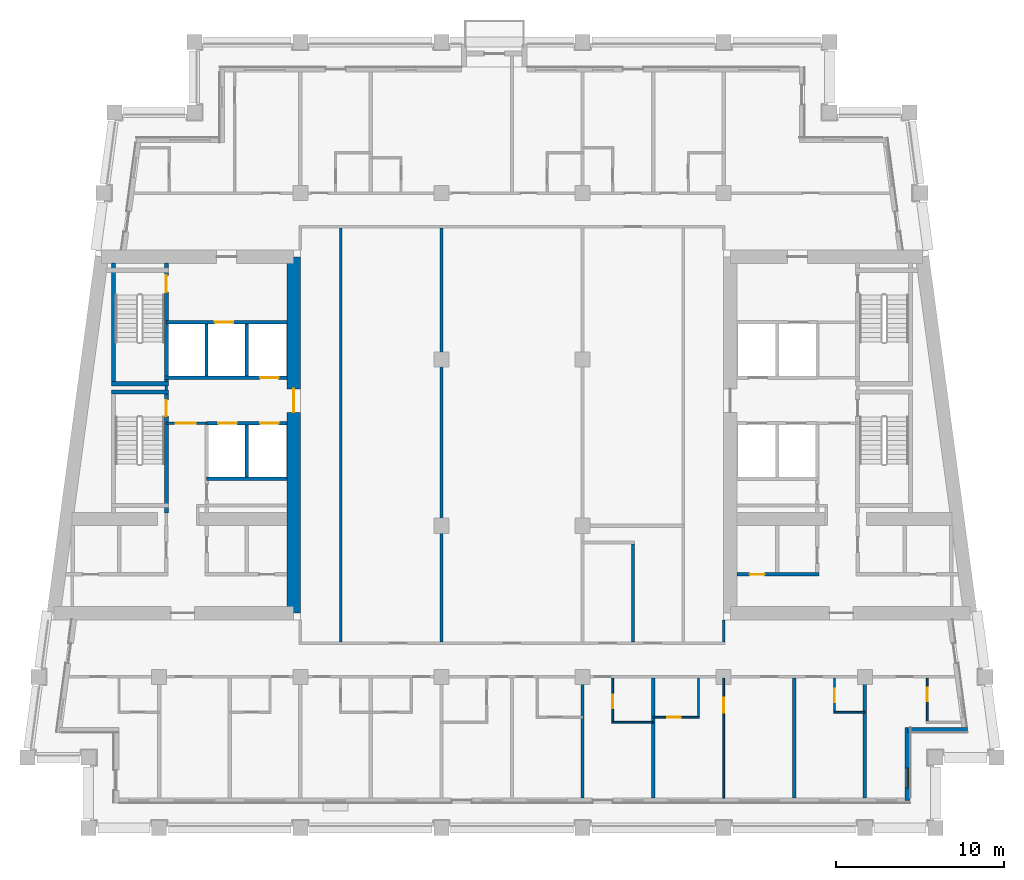
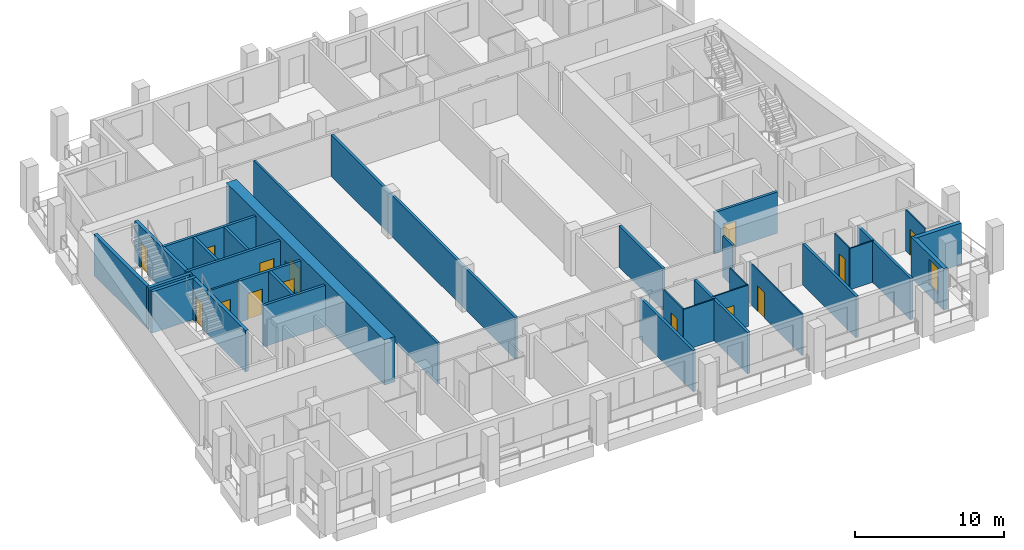
# One storey, part 4 of 13: 34 walls, 14 doors, 1 window, 15 openings.
"""IFC4 building model written with IfcOpenShell, lengths in metres."""

from ifc_helpers import new_model, si_unit, direction, frame, frame_2d, origin, place, context, subcontext, project, spatial, rectangle, extrude, material, layer, layer_set, type_object, element, fill, save


model = new_model("IFC4")

# Units and contexts
model_context = context("Model", 3, precision=1e-05, world=origin(), true_north=direction((0.0, 1.0)))
body_context = subcontext(model_context, "Body", "Model", "MODEL_VIEW")
ifc_project = project(units=[si_unit("LENGTHUNIT", "METRE"), si_unit("AREAUNIT", "SQUARE_METRE"), si_unit("VOLUMEUNIT", "CUBIC_METRE"), si_unit("PLANEANGLEUNIT", "RADIAN"), si_unit("MASSUNIT", "GRAM", prefix="KILO")], contexts=[model_context])

# Site, building, storey
site_placement = place(None, origin())
site = spatial("IfcSite", under=ifc_project, at=site_placement, CompositionType="ELEMENT")
building_placement = place(site_placement, origin())
building = spatial("IfcBuilding", under=site, at=building_placement, Name="Candeia Pilgrim Tower and Theatre", CompositionType="ELEMENT")
storey_placement = place(building_placement, frame((0.0, 0.0, 202.199951171875)))
storey = spatial("IfcBuildingStorey", under=building, at=storey_placement, Name="L48", CompositionType="ELEMENT", Elevation=202.199951171875)

# Wall, opening, door
ifc_material_1 = material(Name="Concrete C50/60", Category="concrete")
ifc_layer_1 = layer(ifc_material_1, 0.800048828125)
ifc_layer_set_1 = layer_set([ifc_layer_1], Name="Core wall 800 C50/60")
wall_type_1 = type_object("IfcWallType", Name="Core wall 800 C50/60", PredefinedType="SHEAR", material=ifc_layer_set_1)
wall_1_placement = place(storey_placement, frame((100.39990234375, 132.0, 0.0), z_axis=(0.0, 0.0, 1.0), x_axis=(0.0, -1.0, 0.0)))
wall_1 = element("IfcWall", 1, at=wall_1_placement, inside=storey, type_object=wall_type_1, Name="Core wall W2", PredefinedType="SHEAR", context=body_context, shape_type="SweptSolid", body=[
    extrude(rectangle(XDim=21.199951171875, YDim=0.800048828125, at=frame_2d((10.60009765625, 0.0))), origin(), (0.0, 0.0, 1.0), 3.699951171875),
])
opening_1_placement = place(wall_1_placement, frame((7.85009765625, 0.0, 0.0)))
opening_1 = element("IfcOpeningElement", 2, at=opening_1_placement, cuts=wall_1, Name="Opening L48-D060", PredefinedType="OPENING", context=body_context, shape_type="SweptSolid", body=[
    extrude(rectangle(XDim=1.39990234375, YDim=2.10009765625, at=frame_2d((0.699951171875, 1.050048828125))), frame((0.0, 0.41015625, 0.0), z_axis=(0.0, -1.0, 0.0), x_axis=(1.0, 0.0, 0.0)), (0.0, 0.0, 1.0), 0.820068359375),
])
ifc_material_2 = material(Name="Steel fire door set", Category="steel")
door_type_1 = type_object("IfcDoorType", Name="D-1400-FD60", OperationType="NOTDEFINED", PredefinedType="DOOR", material=ifc_material_2)
door_1_placement = place(opening_1_placement, origin())
door_1 = element("IfcDoor", 3, at=door_1_placement, inside=storey, type_object=door_type_1, Name="Door L48-D060", OperationType="SINGLE_SWING_RIGHT", OverallHeight=2.10009765625, OverallWidth=1.39990234375, PredefinedType="DOOR", context=body_context, shape_type="SweptSolid", body=[
    extrude(rectangle(XDim=1.39990234375, YDim=2.10009765625, at=frame_2d((0.699951171875, 1.050048828125))), frame((0.0, 0.02490234375, 0.0), z_axis=(0.0, -1.0, 0.0), x_axis=(1.0, 0.0, 0.0)), (0.0, 0.0, 1.0), 0.050048828125),
])
fill(opening_1, door_1)

# Wall, opening, window
ifc_material_3 = material(Name="Ceramic block masonry", Category="masonry")
ifc_layer_2 = layer(ifc_material_3, 0.300048828125)
ifc_layer_set_2 = layer_set([ifc_layer_2], Name="EW1 glazing-line wall 300")
wall_type_2 = type_object("IfcWallType", Name="EW1 glazing-line wall 300", PredefinedType="SOLIDWALL", material=ifc_layer_set_2)
wall_2_placement = place(storey_placement, frame((136.949951171875, 99.64990234375, 0.0), z_axis=(0.0, 0.0, 1.0), x_axis=(0.0, 1.0, 0.0)))
wall_2 = element("IfcWall", 4, at=wall_2_placement, inside=storey, type_object=wall_type_2, Name="External wall L48-1.0", PredefinedType="SOLIDWALL", context=body_context, shape_type="SweptSolid", body=[
    extrude(rectangle(XDim=4.35009765625, YDim=0.300048828125, at=frame_2d((2.175048828125, 0.0))), origin(), (0.0, 0.0, 1.0), 3.380126953125),
])
opening_2_placement = place(wall_2_placement, frame((0.72509765625, 0.0, 0.89990234375)))
opening_2 = element("IfcOpeningElement", 5, at=opening_2_placement, cuts=wall_2, Name="Opening W-B", PredefinedType="OPENING", context=body_context, shape_type="SweptSolid", body=[
    extrude(rectangle(XDim=1.199951171875, YDim=2.10009765625, at=frame_2d((0.60009765625, 1.050048828125))), frame((0.0, 0.16015625, 0.0), z_axis=(0.0, -1.0, 0.0), x_axis=(1.0, 0.0, 0.0)), (0.0, 0.0, 1.0), 0.320068359375),
])
ifc_material_4 = material(Name="Aluminium framed double glazing", Category="aluminium")
window_type = type_object("IfcWindowType", Name="W-B window 1200x2100", PartitioningType="SINGLE_PANEL", PredefinedType="WINDOW", material=ifc_material_4)
window_placement = place(opening_2_placement, origin())
window = element("IfcWindow", 6, at=window_placement, inside=storey, type_object=window_type, Name="Window W-B L48", OverallHeight=2.10009765625, OverallWidth=1.199951171875, PartitioningType="SINGLE_PANEL", PredefinedType="WINDOW", context=body_context, shape_type="SweptSolid", body=[
    extrude(rectangle(XDim=1.199951171875, YDim=2.10009765625, at=frame_2d((0.60009765625, 1.050048828125))), frame((0.0, 0.030029296875, 0.0), z_axis=(0.0, -1.0, 0.0), x_axis=(1.0, 0.0, 0.0)), (0.0, 0.0, 1.0), 0.06005859375),
])
fill(opening_2, window)

# Walls
wall_3_placement = place(storey_placement, frame((136.949951171875, 103.85009765625, 0.0), z_axis=(0.0, 0.0, 1.0), x_axis=(1.0, 0.0, 0.0)))
element("IfcWall", 7, at=wall_3_placement, inside=storey, type_object=wall_type_2, Name="External wall L48-2.0", PredefinedType="SOLIDWALL", context=body_context, shape_type="SweptSolid", body=[
    extrude(rectangle(XDim=3.569091796875, YDim=0.300048828125, at=frame_2d((1.78466796875, 0.0))), origin(), (0.0, 0.0, 1.0), 3.380126953125),
])
ifc_material_5 = material(Name="Gypsum board partition on steel studs", Category="steel")
ifc_layer_3 = layer(ifc_material_5, 0.10009765625)
ifc_layer_set_3 = layer_set([ifc_layer_3], Name="PW-100 room partition")
wall_type_3 = type_object("IfcWallType", Name="PW-100 room partition", PredefinedType="PARTITIONING", material=ifc_layer_set_3)
wall_4_placement = place(storey_placement, frame((119.35009765625, 104.300048828125, 0.0), z_axis=(0.0, 0.0, 1.0), x_axis=(1.0, 0.0, 0.0)))
element("IfcWall", 8, at=wall_4_placement, inside=storey, type_object=wall_type_3, Name="Room partition L48-002", PredefinedType="PARTITIONING", context=body_context, shape_type="SweptSolid", body=[
    extrude(rectangle(XDim=2.449951171875, YDim=0.10009765625, at=frame_2d((1.22509765625, 0.0))), origin(), (0.0, 0.0, 1.0), 3.380126953125),
])

# Wall, opening, door
wall_5_placement = place(storey_placement, frame((121.800048828125, 104.60009765625, 0.0), z_axis=(0.0, 0.0, 1.0), x_axis=(1.0, 0.0, 0.0)))
wall_5 = element("IfcWall", 9, at=wall_5_placement, inside=storey, type_object=wall_type_3, Name="Room partition L48-005", PredefinedType="PARTITIONING", context=body_context, shape_type="SweptSolid", body=[
    extrude(rectangle(XDim=2.75, YDim=0.10009765625, at=frame_2d((1.375, 0.0))), origin(), (0.0, 0.0, 1.0), 3.380126953125),
])
opening_3_placement = place(wall_5_placement, frame((0.830078125, 0.0, 0.0)))
opening_3 = element("IfcOpeningElement", 10, at=opening_3_placement, cuts=wall_5, Name="Opening L48-D034", PredefinedType="OPENING", context=body_context, shape_type="SweptSolid", body=[
    extrude(rectangle(XDim=0.800048828125, YDim=2.10009765625, at=frame_2d((0.39990234375, 1.050048828125))), frame((0.0, 0.06005859375, 0.0), z_axis=(0.0, -1.0, 0.0), x_axis=(1.0, 0.0, 0.0)), (0.0, 0.0, 1.0), 0.1201171875),
])
ifc_material_6 = material(Name="Timber door leaf", Category="wood")
door_type_2 = type_object("IfcDoorType", Name="D-800", OperationType="NOTDEFINED", PredefinedType="DOOR", material=ifc_material_6)
door_2_placement = place(opening_3_placement, origin())
door_2 = element("IfcDoor", 11, at=door_2_placement, inside=storey, type_object=door_type_2, Name="Door L48-D034", OperationType="SINGLE_SWING_RIGHT", OverallHeight=2.10009765625, OverallWidth=0.800048828125, PredefinedType="DOOR", context=body_context, shape_type="SweptSolid", body=[
    extrude(rectangle(XDim=0.800048828125, YDim=2.10009765625, at=frame_2d((0.39990234375, 1.050048828125))), frame((0.0, 0.02490234375, 0.0), z_axis=(0.0, -1.0, 0.0), x_axis=(1.0, 0.0, 0.0)), (0.0, 0.0, 1.0), 0.050048828125),
])
fill(opening_3, door_2)

# Wall
wall_6_placement = place(storey_placement, frame((132.550048828125, 104.89990234375, 0.0), z_axis=(0.0, 0.0, 1.0), x_axis=(1.0, 0.0, 0.0)))
element("IfcWall", 12, at=wall_6_placement, inside=storey, type_object=wall_type_3, Name="Room partition L48-009", PredefinedType="PARTITIONING", context=body_context, shape_type="SweptSolid", body=[
    extrude(rectangle(XDim=1.849853515625, YDim=0.10009765625, at=frame_2d((0.9248046875, 0.0))), origin(), (0.0, 0.0, 1.0), 3.380126953125),
])

# Wall, opening, door
wall_7_placement = place(storey_placement, frame((119.39990234375, 104.35009765625, 0.0), z_axis=(0.0, 0.0, 1.0), x_axis=(0.0, 1.0, 0.0)))
wall_7 = element("IfcWall", 13, at=wall_7_placement, inside=storey, type_object=wall_type_3, Name="Room partition L48-094", PredefinedType="PARTITIONING", context=body_context, shape_type="SweptSolid", body=[
    extrude(rectangle(XDim=2.574951171875, YDim=0.10009765625, at=frame_2d((1.28759765625, 0.0))), origin(), (0.0, 0.0, 1.0), 3.380126953125),
])
opening_4_placement = place(wall_7_placement, frame((0.780029296875, 0.0, 0.0)))
opening_4 = element("IfcOpeningElement", 14, at=opening_4_placement, cuts=wall_7, Name="Opening L48-D031", PredefinedType="OPENING", context=body_context, shape_type="SweptSolid", body=[
    extrude(rectangle(XDim=0.800048828125, YDim=2.10009765625, at=frame_2d((0.39990234375, 1.050048828125))), frame((0.0, 0.06005859375, 0.0), z_axis=(0.0, -1.0, 0.0), x_axis=(1.0, 0.0, 0.0)), (0.0, 0.0, 1.0), 0.1201171875),
])
door_3_placement = place(opening_4_placement, origin())
door_3 = element("IfcDoor", 15, at=door_3_placement, inside=storey, type_object=door_type_2, Name="Door L48-D031", OperationType="SINGLE_SWING_LEFT", OverallHeight=2.10009765625, OverallWidth=0.800048828125, PredefinedType="DOOR", context=body_context, shape_type="SweptSolid", body=[
    extrude(rectangle(XDim=0.800048828125, YDim=2.10009765625, at=frame_2d((0.39990234375, 1.050048828125))), frame((0.0, 0.02490234375, 0.0), z_axis=(0.0, -1.0, 0.0), x_axis=(1.0, 0.0, 0.0)), (0.0, 0.0, 1.0), 0.050048828125),
])
fill(opening_4, door_3)

# Wall
wall_8_placement = place(storey_placement, frame((124.5, 104.64990234375, 0.0), z_axis=(0.0, 0.0, 1.0), x_axis=(0.0, 1.0, 0.0)))
element("IfcWall", 16, at=wall_8_placement, inside=storey, type_object=wall_type_3, Name="Room partition L48-101", PredefinedType="PARTITIONING", context=body_context, shape_type="SweptSolid", body=[
    extrude(rectangle(XDim=2.275146484375, YDim=0.10009765625, at=frame_2d((1.1376953125, 0.0))), origin(), (0.0, 0.0, 1.0), 3.380126953125),
])

# Wall, opening, door
wall_9_placement = place(storey_placement, frame((126.0, 99.7900390625, 0.0), z_axis=(0.0, 0.0, 1.0), x_axis=(0.0, 1.0, 0.0)))
wall_9 = element("IfcWall", 17, at=wall_9_placement, inside=storey, type_object=wall_type_3, Name="Room partition L48-102", PredefinedType="PARTITIONING", context=body_context, shape_type="SweptSolid", body=[
    extrude(rectangle(XDim=7.135009765625, YDim=0.10009765625, at=frame_2d((3.5673828125, 0.0))), origin(), (0.0, 0.0, 1.0), 3.380126953125),
])
opening_5_placement = place(wall_9_placement, frame((5.074951171875, 0.0, 0.0)))
opening_5 = element("IfcOpeningElement", 18, at=opening_5_placement, cuts=wall_9, Name="Opening L48-D033", PredefinedType="OPENING", context=body_context, shape_type="SweptSolid", body=[
    extrude(rectangle(XDim=0.89990234375, YDim=2.10009765625, at=frame_2d((0.449951171875, 1.050048828125))), frame((0.0, 0.06005859375, 0.0), z_axis=(0.0, -1.0, 0.0), x_axis=(1.0, 0.0, 0.0)), (0.0, 0.0, 1.0), 0.1201171875),
])
door_type_3 = type_object("IfcDoorType", Name="D-900", OperationType="NOTDEFINED", PredefinedType="DOOR", material=ifc_material_6)
door_4_placement = place(opening_5_placement, origin())
door_4 = element("IfcDoor", 19, at=door_4_placement, inside=storey, type_object=door_type_3, Name="Door L48-D033", OperationType="SINGLE_SWING_LEFT", OverallHeight=2.10009765625, OverallWidth=0.89990234375, PredefinedType="DOOR", context=body_context, shape_type="SweptSolid", body=[
    extrude(rectangle(XDim=0.89990234375, YDim=2.10009765625, at=frame_2d((0.449951171875, 1.050048828125))), frame((0.0, 0.02490234375, 0.0), z_axis=(0.0, -1.0, 0.0), x_axis=(1.0, 0.0, 0.0)), (0.0, 0.0, 1.0), 0.050048828125),
])
fill(opening_5, door_4)

wall_10_placement = place(storey_placement, frame((132.60009765625, 104.949951171875, 0.0), z_axis=(0.0, 0.0, 1.0), x_axis=(0.0, 1.0, 0.0)))
wall_10 = element("IfcWall", 20, at=wall_10_placement, inside=storey, type_object=wall_type_3, Name="Room partition L48-114", PredefinedType="PARTITIONING", context=body_context, shape_type="SweptSolid", body=[
    extrude(rectangle(XDim=1.97509765625, YDim=0.10009765625, at=frame_2d((0.987548828125, 0.0))), origin(), (0.0, 0.0, 1.0), 3.380126953125),
])
opening_6_placement = place(wall_10_placement, frame((0.5400390625, 0.0, 0.0)))
opening_6 = element("IfcOpeningElement", 21, at=opening_6_placement, cuts=wall_10, Name="Opening L48-D036", PredefinedType="OPENING", context=body_context, shape_type="SweptSolid", body=[
    extrude(rectangle(XDim=0.800048828125, YDim=2.10009765625, at=frame_2d((0.39990234375, 1.050048828125))), frame((0.0, 0.06005859375, 0.0), z_axis=(0.0, -1.0, 0.0), x_axis=(1.0, 0.0, 0.0)), (0.0, 0.0, 1.0), 0.1201171875),
])
door_5_placement = place(opening_6_placement, origin())
door_5 = element("IfcDoor", 22, at=door_5_placement, inside=storey, type_object=door_type_2, Name="Door L48-D036", OperationType="SINGLE_SWING_RIGHT", OverallHeight=2.10009765625, OverallWidth=0.800048828125, PredefinedType="DOOR", context=body_context, shape_type="SweptSolid", body=[
    extrude(rectangle(XDim=0.800048828125, YDim=2.10009765625, at=frame_2d((0.39990234375, 1.050048828125))), frame((0.0, 0.02490234375, 0.0), z_axis=(0.0, -1.0, 0.0), x_axis=(1.0, 0.0, 0.0)), (0.0, 0.0, 1.0), 0.050048828125),
])
fill(opening_6, door_5)

wall_11_placement = place(storey_placement, frame((138.1201171875, 104.35009765625, 0.0), z_axis=(0.0, 0.0, 1.0), x_axis=(0.0, 1.0, 0.0)))
wall_11 = element("IfcWall", 23, at=wall_11_placement, inside=storey, type_object=wall_type_3, Name="Room partition L48-124", PredefinedType="PARTITIONING", context=body_context, shape_type="SweptSolid", body=[
    extrude(rectangle(XDim=2.574951171875, YDim=0.10009765625, at=frame_2d((1.28759765625, 0.0))), origin(), (0.0, 0.0, 1.0), 3.380126953125),
])
opening_7_placement = place(wall_11_placement, frame((1.199951171875, 0.0, 0.0)))
opening_7 = element("IfcOpeningElement", 24, at=opening_7_placement, cuts=wall_11, Name="Opening L48-D038", PredefinedType="OPENING", context=body_context, shape_type="SweptSolid", body=[
    extrude(rectangle(XDim=0.800048828125, YDim=2.10009765625, at=frame_2d((0.39990234375, 1.050048828125))), frame((0.0, 0.06005859375, 0.0), z_axis=(0.0, -1.0, 0.0), x_axis=(1.0, 0.0, 0.0)), (0.0, 0.0, 1.0), 0.1201171875),
])
door_6_placement = place(opening_7_placement, origin())
door_6 = element("IfcDoor", 25, at=door_6_placement, inside=storey, type_object=door_type_2, Name="Door L48-D038", OperationType="SINGLE_SWING_RIGHT", OverallHeight=2.10009765625, OverallWidth=0.800048828125, PredefinedType="DOOR", context=body_context, shape_type="SweptSolid", body=[
    extrude(rectangle(XDim=0.800048828125, YDim=2.10009765625, at=frame_2d((0.39990234375, 1.050048828125))), frame((0.0, 0.02490234375, 0.0), z_axis=(0.0, -1.0, 0.0), x_axis=(1.0, 0.0, 0.0)), (0.0, 0.0, 1.0), 0.050048828125),
])
fill(opening_7, door_6)

ifc_layer_4 = layer(ifc_material_5, 0.14990234375)
ifc_layer_set_4 = layer_set([ifc_layer_4], Name="PW-150 lobby wall")
wall_type_4 = type_object("IfcWallType", Name="PW-150 lobby wall", PredefinedType="PARTITIONING", material=ifc_layer_set_4)
wall_12_placement = place(storey_placement, frame((92.826904296875, 122.10009765625, 0.0), z_axis=(0.0, 0.0, 1.0), x_axis=(1.0, 0.0, 0.0)))
wall_12 = element("IfcWall", 26, at=wall_12_placement, inside=storey, type_object=wall_type_4, Name="Lobby wall L48-028", PredefinedType="PARTITIONING", context=body_context, shape_type="SweptSolid", body=[
    extrude(rectangle(XDim=2.400146484375, YDim=0.14990234375, at=frame_2d((1.2001953125, 0.0))), origin(), (0.0, 0.0, 1.0), 3.380126953125),
])
opening_8_placement = place(wall_12_placement, frame((0.550048828125, 0.0, 0.0)))
opening_8 = element("IfcOpeningElement", 27, at=opening_8_placement, cuts=wall_12, Name="Opening L48-D001", PredefinedType="OPENING", context=body_context, shape_type="SweptSolid", body=[
    extrude(rectangle(XDim=1.199951171875, YDim=2.10009765625, at=frame_2d((0.60009765625, 1.050048828125))), frame((0.0, 0.0849609375, 0.0), z_axis=(0.0, -1.0, 0.0), x_axis=(1.0, 0.0, 0.0)), (0.0, 0.0, 1.0), 0.169921875),
])
door_type_4 = type_object("IfcDoorType", Name="D-1200-FD60", OperationType="NOTDEFINED", PredefinedType="DOOR", material=ifc_material_2)
door_7_placement = place(opening_8_placement, origin())
door_7 = element("IfcDoor", 28, at=door_7_placement, inside=storey, type_object=door_type_4, Name="Door L48-D001", OperationType="SINGLE_SWING_LEFT", OverallHeight=2.10009765625, OverallWidth=1.199951171875, PredefinedType="DOOR", context=body_context, shape_type="SweptSolid", body=[
    extrude(rectangle(XDim=1.199951171875, YDim=2.10009765625, at=frame_2d((0.60009765625, 1.050048828125))), frame((0.0, 0.02490234375, 0.0), z_axis=(0.0, -1.0, 0.0), x_axis=(1.0, 0.0, 0.0)), (0.0, 0.0, 1.0), 0.050048828125),
])
fill(opening_8, door_7)

# Walls
wall_13_placement = place(storey_placement, frame((92.826904296875, 124.074951171875, 0.0), z_axis=(0.0, 0.0, 1.0), x_axis=(0.0, 1.0, 0.0)))
element("IfcWall", 29, at=wall_13_placement, inside=storey, type_object=wall_type_4, Name="Lobby wall L48-059", PredefinedType="PARTITIONING", context=body_context, shape_type="SweptSolid", body=[
    extrude(rectangle(XDim=0.25, YDim=0.14990234375, at=frame_2d((0.125, 0.0))), origin(), (0.0, 0.0, 1.0), 3.380126953125),
])
ifc_layer_5 = layer(ifc_material_5, 0.14990234375)
ifc_layer_set_5 = layer_set([ifc_layer_5], Name="PW-150 unit wall")
wall_type_5 = type_object("IfcWallType", Name="PW-150 unit wall", PredefinedType="PARTITIONING", material=ifc_layer_set_5)
wall_14_placement = place(storey_placement, frame((103.199951171875, 109.074951171875, 0.0), z_axis=(0.0, 0.0, 1.0), x_axis=(0.0, 1.0, 0.0)))
element("IfcWall", 30, at=wall_14_placement, inside=storey, type_object=wall_type_5, Name="Unit wall L48-079", PredefinedType="PARTITIONING", context=body_context, shape_type="SweptSolid", body=[
    extrude(rectangle(XDim=24.650146484375, YDim=0.14990234375, at=frame_2d((12.3251953125, 0.0))), origin(), (0.0, 0.0, 1.0), 3.380126953125),
])
wall_15_placement = place(storey_placement, frame((126.0, 109.074951171875, 0.0), z_axis=(0.0, 0.0, 1.0), x_axis=(0.0, 1.0, 0.0)))
element("IfcWall", 31, at=wall_15_placement, inside=storey, type_object=wall_type_5, Name="Unit wall L48-104", PredefinedType="PARTITIONING", context=body_context, shape_type="SweptSolid", body=[
    extrude(rectangle(XDim=1.324951171875, YDim=0.14990234375, at=frame_2d((0.66259765625, 0.0))), origin(), (0.0, 0.0, 1.0), 3.380126953125),
])
ifc_layer_6 = layer(ifc_material_5, 0.199951171875)
ifc_layer_set_6 = layer_set([ifc_layer_6], Name="PW-200 party wall")
wall_type_6 = type_object("IfcWallType", Name="PW-200 party wall", PredefinedType="PARTITIONING", material=ifc_layer_set_6)
wall_16_placement = place(storey_placement, frame((109.199951171875, 109.074951171875, 0.0), z_axis=(0.0, 0.0, 1.0), x_axis=(0.0, 1.0, 0.0)))
element("IfcWall", 32, at=wall_16_placement, inside=storey, type_object=wall_type_6, Name="Party wall L48-085", PredefinedType="PARTITIONING", context=body_context, shape_type="SweptSolid", body=[
    extrude(rectangle(XDim=24.650146484375, YDim=0.199951171875, at=frame_2d((12.3251953125, 0.0))), origin(), (0.0, 0.0, 1.0), 3.380126953125),
])
wall_17_placement = place(storey_placement, frame((117.60009765625, 99.7900390625, 0.0), z_axis=(0.0, 0.0, 1.0), x_axis=(0.0, 1.0, 0.0)))
element("IfcWall", 33, at=wall_17_placement, inside=storey, type_object=wall_type_6, Name="Party wall L48-091", PredefinedType="PARTITIONING", context=body_context, shape_type="SweptSolid", body=[
    extrude(rectangle(XDim=7.135009765625, YDim=0.199951171875, at=frame_2d((3.5673828125, 0.0))), origin(), (0.0, 0.0, 1.0), 3.380126953125),
])
wall_18_placement = place(storey_placement, frame((120.60009765625, 109.074951171875, 0.0), z_axis=(0.0, 0.0, 1.0), x_axis=(0.0, 1.0, 0.0)))
element("IfcWall", 34, at=wall_18_placement, inside=storey, type_object=wall_type_6, Name="Party wall L48-096", PredefinedType="PARTITIONING", context=body_context, shape_type="SweptSolid", body=[
    extrude(rectangle(XDim=5.824951171875, YDim=0.199951171875, at=frame_2d((2.91259765625, 0.0))), origin(), (0.0, 0.0, 1.0), 3.380126953125),
])
for number, where, z_axis, x_axis, name in (
    (35, (121.800048828125, 99.7900390625, 0.0), (0.0, 0.0, 1.0), (0.0, 1.0, 0.0), "Party wall L48-097"),
    (36, (130.199951171875, 99.7900390625, 0.0), (0.0, 0.0, 1.0), (0.0, 1.0, 0.0), "Party wall L48-109"),
    (37, (134.39990234375, 99.7900390625, 0.0), (0.0, 0.0, 1.0), (0.0, 1.0, 0.0), "Party wall L48-120"),
):
    element("IfcWall", number, at=place(storey_placement, frame(where, z_axis=z_axis, x_axis=x_axis)), inside=storey, type_object=wall_type_6, Name=name, PredefinedType="PARTITIONING", context=body_context, shape_type="SweptSolid", body=[
        extrude(rectangle(XDim=7.135009765625, YDim=0.199951171875, at=frame_2d((3.5673828125, 0.0))), origin(), (0.0, 0.0, 1.0), 3.380126953125),
    ])

# Wall, opening, door
ifc_material_7 = material(Name="Concrete C40/50", Category="concrete")
ifc_layer_7 = layer(ifc_material_7, 0.199951171875)
ifc_layer_set_7 = layer_set([ifc_layer_7], Name="SW-200 shaft wall")
wall_type_7 = type_object("IfcWallType", Name="SW-200 shaft wall", PredefinedType="PARTITIONING", material=ifc_layer_set_7)
wall_19_placement = place(storey_placement, frame((126.800048828125, 113.10009765625, 0.0), z_axis=(0.0, 0.0, 1.0), x_axis=(1.0, 0.0, 0.0)))
wall_19 = element("IfcWall", 38, at=wall_19_placement, inside=storey, type_object=wall_type_7, Name="Shaft wall L48-014", PredefinedType="PARTITIONING", context=body_context, shape_type="SweptSolid", body=[
    extrude(rectangle(XDim=4.873046875, YDim=0.199951171875, at=frame_2d((2.4365234375, 0.0))), origin(), (0.0, 0.0, 1.0), 3.380126953125),
])
opening_9_placement = place(wall_19_placement, frame((0.742919921875, 0.0, 0.0)))
opening_9 = element("IfcOpeningElement", 39, at=opening_9_placement, cuts=wall_19, Name="Opening L48-D016", PredefinedType="OPENING", context=body_context, shape_type="SweptSolid", body=[
    extrude(rectangle(XDim=0.89990234375, YDim=2.10009765625, at=frame_2d((0.449951171875, 1.050048828125))), frame((0.0, 0.10986328125, 0.0), z_axis=(0.0, -1.0, 0.0), x_axis=(1.0, 0.0, 0.0)), (0.0, 0.0, 1.0), 0.219970703125),
])
door_type_5 = type_object("IfcDoorType", Name="D-900-FD60", OperationType="NOTDEFINED", PredefinedType="DOOR", material=ifc_material_2)
door_8_placement = place(opening_9_placement, origin())
door_8 = element("IfcDoor", 40, at=door_8_placement, inside=storey, type_object=door_type_5, Name="Door L48-D016", OperationType="SINGLE_SWING_RIGHT", OverallHeight=2.10009765625, OverallWidth=0.89990234375, PredefinedType="DOOR", context=body_context, shape_type="SweptSolid", body=[
    extrude(rectangle(XDim=0.89990234375, YDim=2.10009765625, at=frame_2d((0.449951171875, 1.050048828125))), frame((0.0, 0.02490234375, 0.0), z_axis=(0.0, -1.0, 0.0), x_axis=(1.0, 0.0, 0.0)), (0.0, 0.0, 1.0), 0.050048828125),
])
fill(opening_9, door_8)

# Wall
wall_20_placement = place(storey_placement, frame((95.22705078125, 118.800048828125, 0.0), z_axis=(0.0, 0.0, 1.0), x_axis=(1.0, 0.0, 0.0)))
element("IfcWall", 41, at=wall_20_placement, inside=storey, type_object=wall_type_7, Name="Shaft wall L48-024", PredefinedType="PARTITIONING", context=body_context, shape_type="SweptSolid", body=[
    extrude(rectangle(XDim=4.77294921875, YDim=0.199951171875, at=frame_2d((2.386474609375, 0.0))), origin(), (0.0, 0.0, 1.0), 3.380126953125),
])

# Wall, openings, doors
wall_21_placement = place(storey_placement, frame((95.22705078125, 122.10009765625, 0.0), z_axis=(0.0, 0.0, 1.0), x_axis=(1.0, 0.0, 0.0)))
wall_21 = element("IfcWall", 42, at=wall_21_placement, inside=storey, type_object=wall_type_7, Name="Shaft wall L48-026", PredefinedType="PARTITIONING", context=body_context, shape_type="SweptSolid", body=[
    extrude(rectangle(XDim=4.77294921875, YDim=0.199951171875, at=frame_2d((2.386474609375, 0.0))), origin(), (0.0, 0.0, 1.0), 3.380126953125),
])
opening_10_placement = place(wall_21_placement, frame((0.701904296875, 0.0, 0.0)))
opening_10 = element("IfcOpeningElement", 43, at=opening_10_placement, cuts=wall_21, Name="Opening L48-LD01", PredefinedType="OPENING", context=body_context, shape_type="SweptSolid", body=[
    extrude(rectangle(XDim=1.10009765625, YDim=2.10009765625, at=frame_2d((0.550048828125, 1.050048828125))), frame((0.0, 0.10986328125, 0.0), z_axis=(0.0, -1.0, 0.0), x_axis=(1.0, 0.0, 0.0)), (0.0, 0.0, 1.0), 0.219970703125),
])
opening_11_placement = place(wall_21_placement, frame((3.176025390625, 0.0, 0.0)))
opening_11 = element("IfcOpeningElement", 44, at=opening_11_placement, cuts=wall_21, Name="Opening L48-LD02", PredefinedType="OPENING", context=body_context, shape_type="SweptSolid", body=[
    extrude(rectangle(XDim=1.10009765625, YDim=2.10009765625, at=frame_2d((0.550048828125, 1.050048828125))), frame((0.0, 0.10986328125, 0.0), z_axis=(0.0, -1.0, 0.0), x_axis=(1.0, 0.0, 0.0)), (0.0, 0.0, 1.0), 0.219970703125),
])
ifc_material_8 = material(Name="Glazed aluminium landing door", Category="aluminium")
door_type_6 = type_object("IfcDoorType", Name="LD-1100-EI120", OperationType="SLIDING_TO_LEFT", PredefinedType="DOOR", material=ifc_material_8)
door_9_placement = place(opening_10_placement, origin())
door_9 = element("IfcDoor", 45, at=door_9_placement, inside=storey, type_object=door_type_6, Name="Landing door 01 L48", OperationType="SLIDING_TO_LEFT", OverallHeight=2.10009765625, OverallWidth=1.10009765625, PredefinedType="DOOR", context=body_context, shape_type="SweptSolid", body=[
    extrude(rectangle(XDim=1.10009765625, YDim=2.10009765625, at=frame_2d((0.550048828125, 1.050048828125))), frame((0.0, 0.02490234375, 0.0), z_axis=(0.0, -1.0, 0.0), x_axis=(1.0, 0.0, 0.0)), (0.0, 0.0, 1.0), 0.050048828125),
])
fill(opening_10, door_9)
door_10_placement = place(opening_11_placement, origin())
door_10 = element("IfcDoor", 46, at=door_10_placement, inside=storey, type_object=door_type_6, Name="Landing door 02 L48", OperationType="SLIDING_TO_LEFT", OverallHeight=2.10009765625, OverallWidth=1.10009765625, PredefinedType="DOOR", context=body_context, shape_type="SweptSolid", body=[
    extrude(rectangle(XDim=1.10009765625, YDim=2.10009765625, at=frame_2d((0.550048828125, 1.050048828125))), frame((0.0, 0.02490234375, 0.0), z_axis=(0.0, -1.0, 0.0), x_axis=(1.0, 0.0, 0.0)), (0.0, 0.0, 1.0), 0.050048828125),
])
fill(opening_11, door_10)

# Wall, opening, door
wall_22_placement = place(storey_placement, frame((92.701904296875, 124.800048828125, 0.0), z_axis=(0.0, 0.0, 1.0), x_axis=(1.0, 0.0, 0.0)))
wall_22 = element("IfcWall", 47, at=wall_22_placement, inside=storey, type_object=wall_type_7, Name="Shaft wall L48-034", PredefinedType="PARTITIONING", context=body_context, shape_type="SweptSolid", body=[
    extrude(rectangle(XDim=7.298095703125, YDim=0.199951171875, at=frame_2d((3.64892578125, 0.0))), origin(), (0.0, 0.0, 1.0), 3.380126953125),
])
opening_12_placement = place(wall_22_placement, frame((5.699951171875, 0.0, 0.0)))
opening_12 = element("IfcOpeningElement", 48, at=opening_12_placement, cuts=wall_22, Name="Opening L48-LD04", PredefinedType="OPENING", context=body_context, shape_type="SweptSolid", body=[
    extrude(rectangle(XDim=1.10009765625, YDim=2.10009765625, at=frame_2d((0.550048828125, 1.050048828125))), frame((0.0, 0.10986328125, 0.0), z_axis=(0.0, -1.0, 0.0), x_axis=(1.0, 0.0, 0.0)), (0.0, 0.0, 1.0), 0.219970703125),
])
door_11_placement = place(opening_12_placement, origin())
door_11 = element("IfcDoor", 49, at=door_11_placement, inside=storey, type_object=door_type_6, Name="Landing door 04 L48", OperationType="SLIDING_TO_LEFT", OverallHeight=2.10009765625, OverallWidth=1.10009765625, PredefinedType="DOOR", context=body_context, shape_type="SweptSolid", body=[
    extrude(rectangle(XDim=1.10009765625, YDim=2.10009765625, at=frame_2d((0.550048828125, 1.050048828125))), frame((0.0, 0.02490234375, 0.0), z_axis=(0.0, -1.0, 0.0), x_axis=(1.0, 0.0, 0.0)), (0.0, 0.0, 1.0), 0.050048828125),
])
fill(opening_12, door_11)

wall_23_placement = place(storey_placement, frame((92.826904296875, 128.10009765625, 0.0), z_axis=(0.0, 0.0, 1.0), x_axis=(1.0, 0.0, 0.0)))
wall_23 = element("IfcWall", 50, at=wall_23_placement, inside=storey, type_object=wall_type_7, Name="Shaft wall L48-037", PredefinedType="PARTITIONING", context=body_context, shape_type="SweptSolid", body=[
    extrude(rectangle(XDim=7.173095703125, YDim=0.199951171875, at=frame_2d((3.58642578125, 0.0))), origin(), (0.0, 0.0, 1.0), 3.380126953125),
])
opening_13_placement = place(wall_23_placement, frame((2.888916015625, 0.0, 0.0)))
opening_13 = element("IfcOpeningElement", 51, at=opening_13_placement, cuts=wall_23, Name="Opening L48-LD03", PredefinedType="OPENING", context=body_context, shape_type="SweptSolid", body=[
    extrude(rectangle(XDim=1.10009765625, YDim=2.10009765625, at=frame_2d((0.550048828125, 1.050048828125))), frame((0.0, 0.10986328125, 0.0), z_axis=(0.0, -1.0, 0.0), x_axis=(1.0, 0.0, 0.0)), (0.0, 0.0, 1.0), 0.219970703125),
])
door_12_placement = place(opening_13_placement, origin())
door_12 = element("IfcDoor", 52, at=door_12_placement, inside=storey, type_object=door_type_6, Name="Landing door 03 L48", OperationType="SLIDING_TO_LEFT", OverallHeight=2.10009765625, OverallWidth=1.10009765625, PredefinedType="DOOR", context=body_context, shape_type="SweptSolid", body=[
    extrude(rectangle(XDim=1.10009765625, YDim=2.10009765625, at=frame_2d((0.550048828125, 1.050048828125))), frame((0.0, 0.02490234375, 0.0), z_axis=(0.0, -1.0, 0.0), x_axis=(1.0, 0.0, 0.0)), (0.0, 0.0, 1.0), 0.050048828125),
])
fill(opening_13, door_12)

# Walls
for number, where, z_axis, x_axis, name in (
    (53, (95.218017578125, 124.89990234375, 0.0), (0.0, 0.0, 1.0), (0.0, 1.0, 0.0), "Shaft wall L48-064"),
    (54, (97.60888671875, 124.89990234375, 0.0), (0.0, 0.0, 1.0), (0.0, 1.0, 0.0), "Shaft wall L48-069"),
    (55, (97.613525390625, 118.89990234375, 0.0), (0.0, 0.0, 1.0), (0.0, 1.0, 0.0), "Shaft wall L48-071"),
):
    element("IfcWall", number, at=place(storey_placement, frame(where, z_axis=z_axis, x_axis=x_axis)), inside=storey, type_object=wall_type_7, Name=name, PredefinedType="PARTITIONING", context=body_context, shape_type="SweptSolid", body=[
        extrude(rectangle(XDim=3.10009765625, YDim=0.199951171875, at=frame_2d((1.550048828125, 0.0))), origin(), (0.0, 0.0, 1.0), 3.380126953125),
    ])
ifc_layer_8 = layer(ifc_material_7, 0.25)
ifc_layer_set_8 = layer_set([ifc_layer_8], Name="SW-250 stair wall")
wall_type_8 = type_object("IfcWallType", Name="SW-250 stair wall", PredefinedType="PARTITIONING", material=ifc_layer_set_8)
for number, where, z_axis, x_axis, name in (
    (56, (89.552001953125, 123.949951171875, 0.0), (0.0, 0.0, 1.0), (1.0, 0.0, 0.0), "Stair wall L48-030"),
    (57, (89.552001953125, 124.449951171875, 0.0), (0.0, 0.0, 1.0), (1.0, 0.0, 0.0), "Stair wall L48-032"),
):
    element("IfcWall", number, at=place(storey_placement, frame(where, z_axis=z_axis, x_axis=x_axis)), inside=storey, type_object=wall_type_8, Name=name, PredefinedType="PARTITIONING", context=body_context, shape_type="SweptSolid", body=[
        extrude(rectangle(XDim=3.39990234375, YDim=0.25, at=frame_2d((1.699951171875, 0.0))), origin(), (0.0, 0.0, 1.0), 3.380126953125),
    ])
wall_24_placement = place(storey_placement, frame((89.677001953125, 124.574951171875, 0.0), z_axis=(0.0, 0.0, 1.0), x_axis=(0.0, 1.0, 0.0)))
element("IfcWall", 58, at=wall_24_placement, inside=storey, type_object=wall_type_8, Name="Stair wall L48-053", PredefinedType="PARTITIONING", context=body_context, shape_type="SweptSolid", body=[
    extrude(rectangle(XDim=7.054931640625, YDim=0.25, at=frame_2d((3.52734375, 0.0))), origin(), (0.0, 0.0, 1.0), 3.380126953125),
])

# Wall, opening, door
wall_25_placement = place(storey_placement, frame((92.826904296875, 116.77001953125, 0.0), z_axis=(0.0, 0.0, 1.0), x_axis=(0.0, 1.0, 0.0)))
wall_25 = element("IfcWall", 59, at=wall_25_placement, inside=storey, type_object=wall_type_8, Name="Stair wall L48-060", PredefinedType="PARTITIONING", context=body_context, shape_type="SweptSolid", body=[
    extrude(rectangle(XDim=7.054931640625, YDim=0.25, at=frame_2d((3.52734375, 0.0))), origin(), (0.0, 0.0, 1.0), 3.380126953125),
])
opening_14_placement = place(wall_25_placement, frame((5.7548828125, 0.0, 0.0)))
opening_14 = element("IfcOpeningElement", 60, at=opening_14_placement, cuts=wall_25, Name="Opening L48-D002", PredefinedType="OPENING", context=body_context, shape_type="SweptSolid", body=[
    extrude(rectangle(XDim=0.949951171875, YDim=2.10009765625, at=frame_2d((0.47509765625, 1.050048828125))), frame((0.0, 0.135009765625, 0.0), z_axis=(0.0, -1.0, 0.0), x_axis=(1.0, 0.0, 0.0)), (0.0, 0.0, 1.0), 0.27001953125),
])
door_type_7 = type_object("IfcDoorType", Name="D-950-FD60", OperationType="NOTDEFINED", PredefinedType="DOOR", material=ifc_material_2)
door_13_placement = place(opening_14_placement, origin())
door_13 = element("IfcDoor", 61, at=door_13_placement, inside=storey, type_object=door_type_7, Name="Door L48-D002", OperationType="SINGLE_SWING_RIGHT", OverallHeight=2.10009765625, OverallWidth=0.949951171875, PredefinedType="DOOR", context=body_context, shape_type="SweptSolid", body=[
    extrude(rectangle(XDim=0.949951171875, YDim=2.10009765625, at=frame_2d((0.47509765625, 1.050048828125))), frame((0.0, 0.02490234375, 0.0), z_axis=(0.0, -1.0, 0.0), x_axis=(1.0, 0.0, 0.0)), (0.0, 0.0, 1.0), 0.050048828125),
])
fill(opening_14, door_13)

wall_26_placement = place(storey_placement, frame((92.826904296875, 124.574951171875, 0.0), z_axis=(0.0, 0.0, 1.0), x_axis=(0.0, 1.0, 0.0)))
wall_26 = element("IfcWall", 62, at=wall_26_placement, inside=storey, type_object=wall_type_8, Name="Stair wall L48-061", PredefinedType="PARTITIONING", context=body_context, shape_type="SweptSolid", body=[
    extrude(rectangle(XDim=7.054931640625, YDim=0.25, at=frame_2d((3.52734375, 0.0))), origin(), (0.0, 0.0, 1.0), 3.380126953125),
])
opening_15_placement = place(wall_26_placement, frame((5.324951171875, 0.0, 0.0)))
opening_15 = element("IfcOpeningElement", 63, at=opening_15_placement, cuts=wall_26, Name="Opening L48-D003", PredefinedType="OPENING", context=body_context, shape_type="SweptSolid", body=[
    extrude(rectangle(XDim=1.0, YDim=2.10009765625, at=frame_2d((0.5, 1.050048828125))), frame((0.0, 0.135009765625, 0.0), z_axis=(0.0, -1.0, 0.0), x_axis=(1.0, 0.0, 0.0)), (0.0, 0.0, 1.0), 0.27001953125),
])
door_type_8 = type_object("IfcDoorType", Name="D-1000-FD60", OperationType="NOTDEFINED", PredefinedType="DOOR", material=ifc_material_2)
door_14_placement = place(opening_15_placement, origin())
door_14 = element("IfcDoor", 64, at=door_14_placement, inside=storey, type_object=door_type_8, Name="Door L48-D003", OperationType="SINGLE_SWING_LEFT", OverallHeight=2.10009765625, OverallWidth=1.0, PredefinedType="DOOR", context=body_context, shape_type="SweptSolid", body=[
    extrude(rectangle(XDim=1.0, YDim=2.10009765625, at=frame_2d((0.5, 1.050048828125))), frame((0.0, 0.02490234375, 0.0), z_axis=(0.0, -1.0, 0.0), x_axis=(1.0, 0.0, 0.0)), (0.0, 0.0, 1.0), 0.050048828125),
])
fill(opening_15, door_14)

save(model, "model.ifc")
